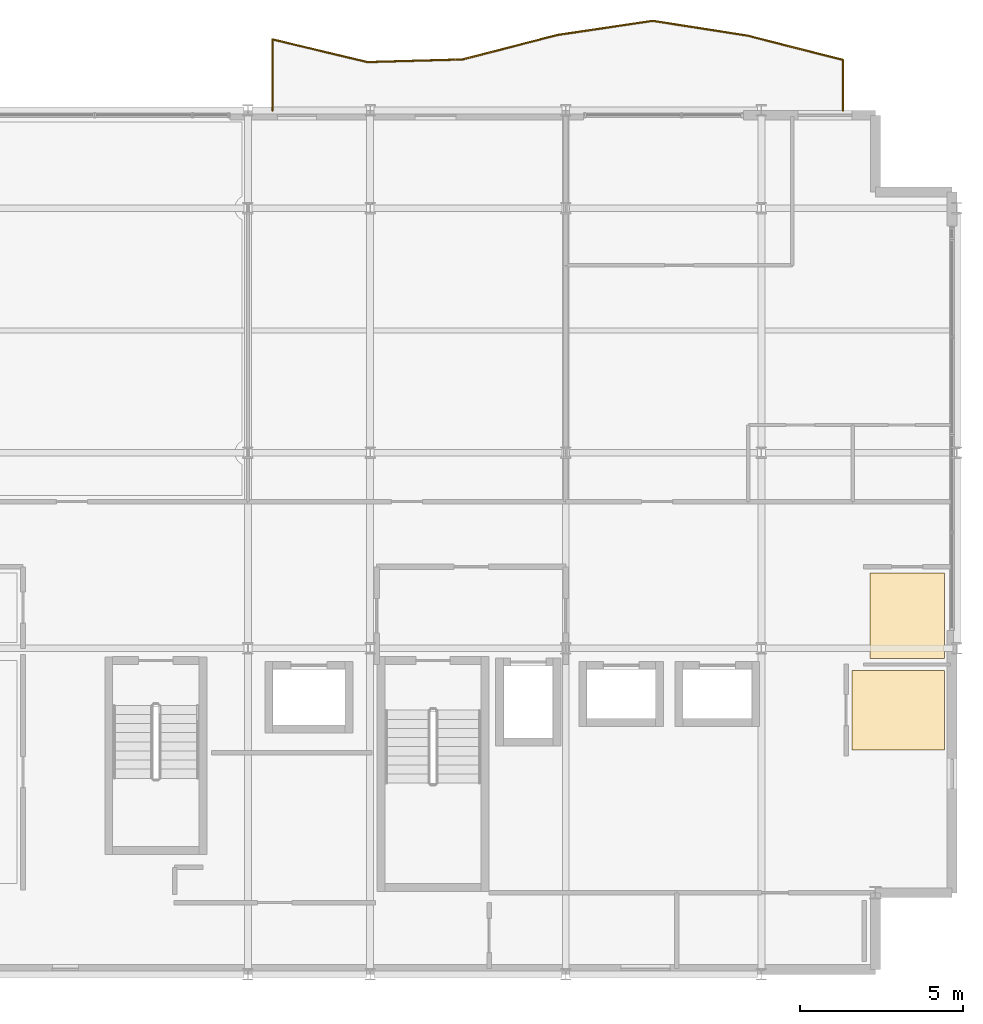
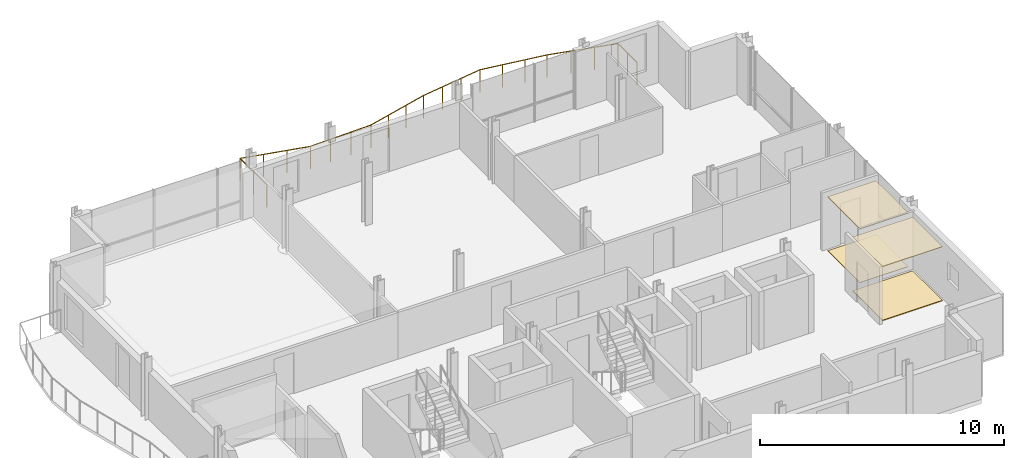
# One storey, part 12 of 12: 4 coverings, 1 railing.
"""IFC4 building model written with IfcOpenShell, lengths in metres."""

from ifc_helpers import new_model, si_unit, direction, frame, origin, origin_2d, place, context, subcontext, project, spatial, polyline, circle, outline, extrude, material, layer, layer_set, type_object, element, save


model = new_model("IFC4")

# Units and contexts
model_context = context("Model", 3, precision=1e-05, world=origin(), true_north=direction((0.0, 1.0)))
body_context = subcontext(model_context, "Body", "Model", "MODEL_VIEW")
ifc_project = project(units=[si_unit("LENGTHUNIT", "METRE"), si_unit("AREAUNIT", "SQUARE_METRE"), si_unit("VOLUMEUNIT", "CUBIC_METRE"), si_unit("PLANEANGLEUNIT", "RADIAN"), si_unit("MASSUNIT", "GRAM", prefix="KILO")], contexts=[model_context])

# Site, building, storey
site_placement = place(None, origin())
site = spatial("IfcSite", under=ifc_project, at=site_placement, CompositionType="ELEMENT")
building_placement = place(site_placement, origin())
building = spatial("IfcBuilding", under=site, at=building_placement, Name="Brevholm Reach", CompositionType="ELEMENT")
storey_placement = place(building_placement, frame((0.0, 0.0, 233.5)))
storey = spatial("IfcBuildingStorey", under=building, at=storey_placement, Name="L71", CompositionType="ELEMENT", Elevation=233.5)

# Coverings
ifc_material_1 = material(Name="Perforated Mineral-Fibre Class-A Acoustic Suspended Ceiling", Category="gypsum")
ifc_layer_1 = layer(ifc_material_1, 0.044921875)
ifc_layer_set_1 = layer_set([ifc_layer_1], Name="Perforated Mineral-Fibre Class-A Acoustic Suspended Ceiling")
covering_type_1 = type_object("IfcCoveringType", Name="COV-CLG-AC", PredefinedType="CEILING", material=ifc_layer_set_1)
covering_1_placement = place(storey_placement, frame((0.0, 0.0, 2.675048828125)))
element("IfcCovering", 1, at=covering_1_placement, inside=storey, type_object=covering_type_1, Name="L71 Suspended Ceiling L71-21", PredefinedType="CEILING", context=body_context, shape_type="SweptSolid", body=[
    extrude(outline(polyline([(57.330078125, 12.31591796875), (59.6201171875, 12.31591796875), (59.6201171875, 10.123779296875), (59.6171875, 10.1162109375), (59.607666015625, 10.077880859375), (59.601806640625, 10.039306640625), (59.60009765625, 10.0), (59.601806640625, 9.960693359375), (59.607666015625, 9.922119140625), (59.6171875, 9.8837890625), (59.6201171875, 9.876220703125), (59.6201171875, 9.68408203125), (57.330078125, 9.68408203125), (57.330078125, 12.31591796875)])), origin(), (0.0, 0.0, 1.0), 0.044921875),
])
ifc_material_2 = material(Name="Moisture-Resistant Skimmed Gypsum Plasterboard Ceiling", Category="gypsum")
ifc_layer_2 = layer(ifc_material_2, 0.030029296875)
ifc_layer_set_2 = layer_set([ifc_layer_2], Name="Moisture-Resistant Skimmed Gypsum Plasterboard Ceiling")
covering_type_2 = type_object("IfcCoveringType", Name="COV-CLG-GYP", PredefinedType="CEILING", material=ifc_layer_set_2)
covering_2_placement = place(storey_placement, frame((0.0, 0.0, 2.68994140625)))
element("IfcCovering", 2, at=covering_2_placement, inside=storey, type_object=covering_type_2, Name="L71 Suspended Ceiling L71-19", PredefinedType="CEILING", context=body_context, shape_type="SweptSolid", body=[
    extrude(outline(polyline([(59.6201171875, 9.320068359375), (59.6201171875, 6.8798828125), (56.783935546875, 6.8798828125), (56.783935546875, 9.320068359375), (59.6201171875, 9.320068359375)])), origin(), (0.0, 0.0, 1.0), 0.030029296875),
])
ifc_material_3 = material(Name="Engineered European Oak Acoustic Plank Flooring", Category="timber")
ifc_layer_3 = layer(ifc_material_3, 0.02197265625)
ifc_layer_set_3 = layer_set([ifc_layer_3], Name="Engineered European Oak Acoustic Plank Flooring")
covering_type_3 = type_object("IfcCoveringType", Name="COV-FLR-OAK", PredefinedType="FLOORING", material=ifc_layer_set_3)
covering_3_placement = place(storey_placement, origin())
element("IfcCovering", 3, at=covering_3_placement, inside=storey, type_object=covering_type_3, Name="L71 Floor Finish L71-21", PredefinedType="FLOORING", context=body_context, shape_type="SweptSolid", body=[
    extrude(outline(polyline([(57.330078125, 12.31591796875), (59.6201171875, 12.31591796875), (59.6201171875, 10.123779296875), (59.6171875, 10.1162109375), (59.607666015625, 10.077880859375), (59.601806640625, 10.039306640625), (59.60009765625, 10.0), (59.601806640625, 9.960693359375), (59.607666015625, 9.922119140625), (59.6171875, 9.8837890625), (59.6201171875, 9.876220703125), (59.6201171875, 9.68408203125), (57.330078125, 9.68408203125), (57.330078125, 12.31591796875)])), origin(), (0.0, 0.0, 1.0), 0.02197265625),
])
ifc_material_4 = material(Name="Honed Portland-Aggregate Resin Terrazzo Flooring", Category="concrete")
ifc_layer_4 = layer(ifc_material_4, 0.031982421875)
ifc_layer_set_4 = layer_set([ifc_layer_4], Name="Honed Portland-Aggregate Resin Terrazzo Flooring")
covering_type_4 = type_object("IfcCoveringType", Name="COV-FLR-TRZ", PredefinedType="FLOORING", material=ifc_layer_set_4)
covering_4_placement = place(storey_placement, origin())
element("IfcCovering", 4, at=covering_4_placement, inside=storey, type_object=covering_type_4, Name="L71 Floor Finish L71-19", PredefinedType="FLOORING", context=body_context, shape_type="SweptSolid", body=[
    extrude(outline(polyline([(59.6201171875, 9.320068359375), (59.6201171875, 6.8798828125), (56.783935546875, 6.8798828125), (56.783935546875, 9.320068359375), (59.6201171875, 9.320068359375)])), origin(), (0.0, 0.0, 1.0), 0.031982421875),
])

# Railing
ifc_material_5 = material(Name="Brushed Stainless Steel EN 1.4401 and Laminated Glass", Category="steel")
railing_type = type_object("IfcRailingType", Name="RAL-BALC-1150", PredefinedType="BALUSTRADE", material=ifc_material_5)
railing_placement = place(storey_placement, frame((56.5, 26.5, 0.0)))
element("IfcRailing", 5, at=railing_placement, inside=storey, type_object=railing_type, Name="L71 Guard Balustrade RAL-L71-BAL-NE", PredefinedType="BALUSTRADE", context=body_context, shape_type="SweptSolid", body=[
    extrude(circle(Radius=0.02392578125, at=origin_2d()), frame((0.0, 0.0, 1.1259765625), z_axis=(0.0, 1.0, 0.0), x_axis=(-1.0, 0.0, 0.0)), (0.0, 0.0, 1.0), 1.55029296875),
    extrude(circle(Radius=0.02392578125, at=origin_2d()), frame((0.0, 1.55029296875, 1.1259765625), z_axis=(-0.968923500885, 0.24736056564, 0.0), x_axis=(-0.24736056564, -0.968923500885, 0.0)), (0.0, 0.0, 1.0), 3.01025390625),
    extrude(circle(Radius=0.02392578125, at=origin_2d()), frame((-2.916748046875, 2.294921875, 1.1259765625), z_axis=(-0.988044338858, 0.154169985571, 0.0), x_axis=(-0.154169985571, -0.988044338858, 0.0)), (0.0, 0.0, 1.0), 2.951904296875),
    extrude(circle(Radius=0.02392578125, at=origin_2d()), frame((-5.833251953125, 2.75, 1.1259765625), z_axis=(-0.989154508095, -0.146878722471, 0.0), x_axis=(0.146878722471, -0.989154508095, 0.0)), (0.0, 0.0, 1.0), 2.94873046875),
    extrude(circle(Radius=0.02392578125, at=origin_2d()), frame((-8.75, 2.31689453125, 1.1259765625), z_axis=(-0.968396782901, -0.249414656482, 0.0), x_axis=(0.249414656482, -0.968396782901, 0.0)), (0.0, 0.0, 1.0), 3.011962890625),
    extrude(circle(Radius=0.02392578125, at=origin_2d()), frame((-11.666748046875, 1.565673828125, 1.1259765625), z_axis=(-0.999614033457, -0.027781002771, 0.0), x_axis=(0.027781002771, -0.999614033457, 0.0)), (0.0, 0.0, 1.0), 2.917724609375),
    extrude(circle(Radius=0.02392578125, at=origin_2d()), frame((-14.583251953125, 1.484619140625, 1.1259765625), z_axis=(-0.972687280988, 0.232119480882, 0.0), x_axis=(-0.232119480882, -0.972687280988, 0.0)), (0.0, 0.0, 1.0), 2.99853515625),
    extrude(circle(Radius=0.02392578125, at=origin_2d()), frame((-17.5, 2.1806640625, 1.1259765625), z_axis=(0.0, -1.0, 0.0), x_axis=(1.0, 0.0, 0.0)), (0.0, 0.0, 1.0), 2.1806640625),
    extrude(circle(Radius=0.02099609375, at=origin_2d()), origin(), (0.0, 0.0, 1.0), 1.101806640625),
    extrude(circle(Radius=0.02099609375, at=origin_2d()), frame((0.0, 0.775146484375, 0.0)), (0.0, 0.0, 1.0), 1.101806640625),
    extrude(circle(Radius=0.02099609375, at=origin_2d()), frame((0.0, 1.55029296875, 0.0)), (0.0, 0.0, 1.0), 1.101806640625),
    extrude(circle(Radius=0.02099609375, at=origin_2d()), frame((-0.97216796875, 1.798583984375, 0.0)), (0.0, 0.0, 1.0), 1.101806640625),
    extrude(circle(Radius=0.02099609375, at=origin_2d()), frame((-1.944580078125, 2.046630859375, 0.0)), (0.0, 0.0, 1.0), 1.101806640625),
    extrude(circle(Radius=0.02099609375, at=origin_2d()), frame((-2.916748046875, 2.294921875, 0.0)), (0.0, 0.0, 1.0), 1.101806640625),
    extrude(circle(Radius=0.02099609375, at=origin_2d()), frame((-3.888916015625, 2.446533203125, 0.0)), (0.0, 0.0, 1.0), 1.101806640625),
    extrude(circle(Radius=0.02099609375, at=origin_2d()), frame((-4.861083984375, 2.598388671875, 0.0)), (0.0, 0.0, 1.0), 1.101806640625),
    extrude(circle(Radius=0.02099609375, at=origin_2d()), frame((-5.833251953125, 2.75, 0.0)), (0.0, 0.0, 1.0), 1.101806640625),
    extrude(circle(Radius=0.02099609375, at=origin_2d()), frame((-6.805419921875, 2.605712890625, 0.0)), (0.0, 0.0, 1.0), 1.101806640625),
    extrude(circle(Radius=0.02099609375, at=origin_2d()), frame((-7.77783203125, 2.461181640625, 0.0)), (0.0, 0.0, 1.0), 1.101806640625),
    extrude(circle(Radius=0.02099609375, at=origin_2d()), frame((-8.75, 2.31689453125, 0.0)), (0.0, 0.0, 1.0), 1.101806640625),
    extrude(circle(Radius=0.02099609375, at=origin_2d()), frame((-9.72216796875, 2.06640625, 0.0)), (0.0, 0.0, 1.0), 1.101806640625),
    extrude(circle(Radius=0.02099609375, at=origin_2d()), frame((-10.694580078125, 1.816162109375, 0.0)), (0.0, 0.0, 1.0), 1.101806640625),
    extrude(circle(Radius=0.02099609375, at=origin_2d()), frame((-11.666748046875, 1.565673828125, 0.0)), (0.0, 0.0, 1.0), 1.101806640625),
    extrude(circle(Radius=0.02099609375, at=origin_2d()), frame((-12.638916015625, 1.53857421875, 0.0)), (0.0, 0.0, 1.0), 1.101806640625),
    extrude(circle(Radius=0.02099609375, at=origin_2d()), frame((-13.611083984375, 1.51171875, 0.0)), (0.0, 0.0, 1.0), 1.101806640625),
    extrude(circle(Radius=0.02099609375, at=origin_2d()), frame((-14.583251953125, 1.484619140625, 0.0)), (0.0, 0.0, 1.0), 1.101806640625),
    extrude(circle(Radius=0.02099609375, at=origin_2d()), frame((-15.555419921875, 1.716552734375, 0.0)), (0.0, 0.0, 1.0), 1.101806640625),
    extrude(circle(Radius=0.02099609375, at=origin_2d()), frame((-16.52783203125, 1.94873046875, 0.0)), (0.0, 0.0, 1.0), 1.101806640625),
    extrude(circle(Radius=0.02099609375, at=origin_2d()), frame((-17.5, 2.1806640625, 0.0)), (0.0, 0.0, 1.0), 1.101806640625),
    extrude(circle(Radius=0.02099609375, at=origin_2d()), frame((-17.5, 1.09033203125, 0.0)), (0.0, 0.0, 1.0), 1.101806640625),
    extrude(circle(Radius=0.02099609375, at=origin_2d()), frame((-17.5, 0.0, 0.0)), (0.0, 0.0, 1.0), 1.101806640625),
])

save(model, "model.ifc")
